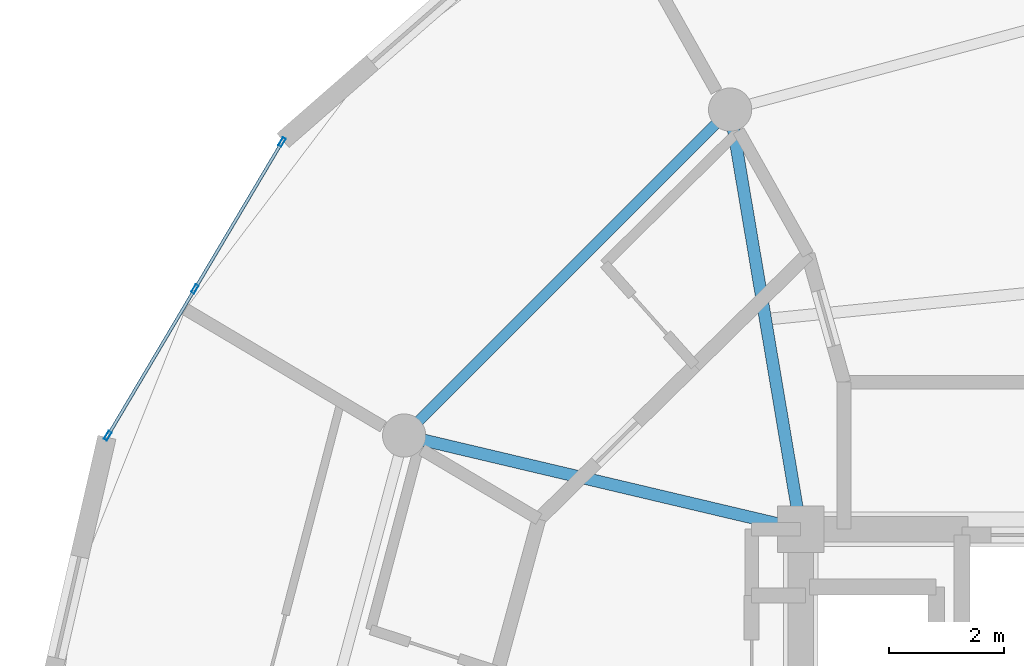
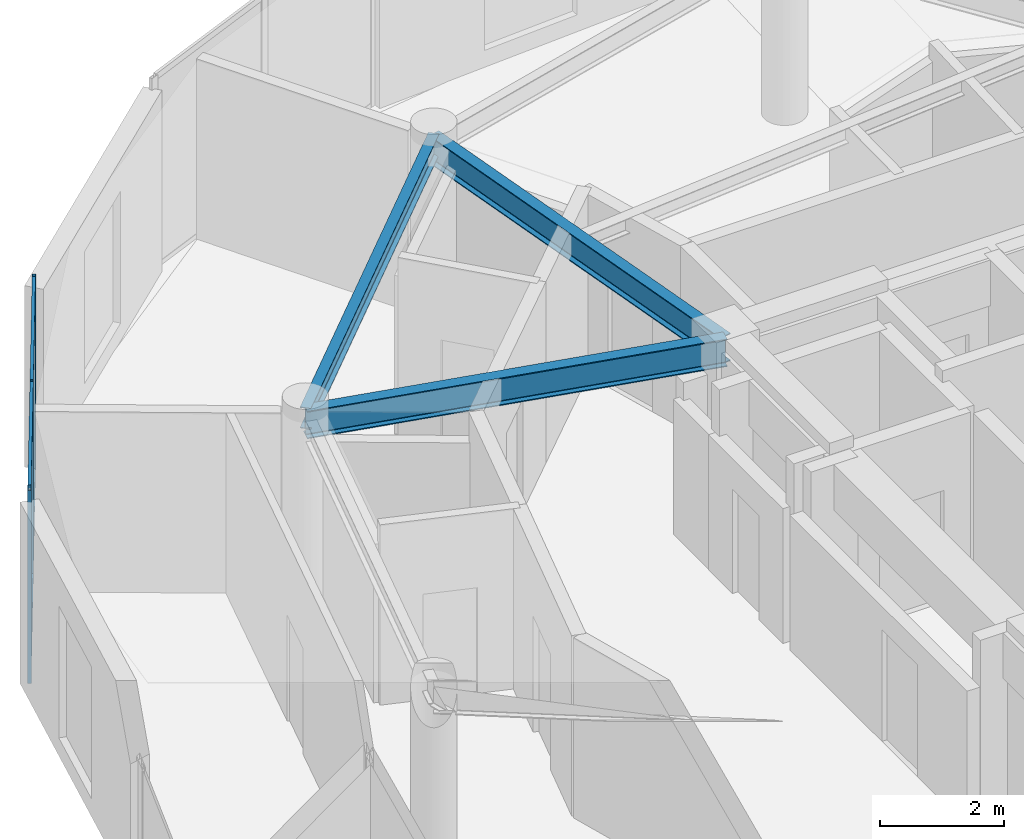
# One storey, part 10 of 22: 7 members, 3 beams, 1 element without a shape of its own.
"""IFC4 building model written with IfcOpenShell, lengths in metres."""

from ifc_helpers import new_model, si_unit, direction, frame, origin, origin_2d, place, context, subcontext, project, spatial, hollow_rectangle, i_section, extrude, source, transform, mapped, material, layer, layer_set, material_profile, profile_set, type_object, element, aggregate, save


model = new_model("IFC4")

# Units and contexts
model_context = context("Model", 3, precision=1e-05, world=origin(), true_north=direction((0.0, 1.0)))
body_context = subcontext(model_context, "Body", "Model", "MODEL_VIEW")
ifc_project = project(units=[si_unit("LENGTHUNIT", "METRE"), si_unit("AREAUNIT", "SQUARE_METRE"), si_unit("VOLUMEUNIT", "CUBIC_METRE"), si_unit("PLANEANGLEUNIT", "RADIAN"), si_unit("MASSUNIT", "GRAM", prefix="KILO")], contexts=[model_context])

# Site, building, storey
site_placement = place(None, origin())
site = spatial("IfcSite", under=ifc_project, at=site_placement, CompositionType="ELEMENT")
building_placement = place(site_placement, origin())
building = spatial("IfcBuilding", under=site, at=building_placement, Name="Solvirekh Grand Hotel", CompositionType="ELEMENT")
storey_placement = place(building_placement, frame((0.0, 0.0, 239.199951171875)))
storey = spatial("IfcBuildingStorey", under=building, at=storey_placement, Name="L62", CompositionType="ELEMENT", Elevation=239.199951171875)

# Beams
ifc_material_1 = material(Name="Steel S355", Category="steel")
ifc_material_profile_1 = material_profile(ifc_material_1, i_section(OverallWidth=0.2119140625, OverallDepth=0.5439453125, WebThickness=0.011962890625, FlangeThickness=0.01904296875, FilletRadius=0.013916015625, at=origin_2d()), Name="W530X123")
ifc_profile_set_1 = profile_set([ifc_material_profile_1], Name="Steel S355")
beam_type_1 = type_object("IfcBeamType", Name="Beam_Radial_W530H", PredefinedType="BEAM", material=ifc_profile_set_1)
beam_1_placement = place(storey_placement, frame((-6.5, 6.10009765625, 3.298095703125), z_axis=(-0.165954049106, 0.986133486697, 0.0), x_axis=(-0.986133486697, -0.165954049106, 0.0)))
element("IfcBeam", 1, at=beam_1_placement, inside=storey, type_object=beam_type_1, Name="L62 radial floor beam R05", PredefinedType="BEAM", context=body_context, shape_type="SweptSolid", body=[
    extrude(i_section(OverallWidth=0.2119140625, OverallDepth=0.5439453125, WebThickness=0.011962890625, FlangeThickness=0.01904296875, FilletRadius=0.013916015625, at=origin_2d()), origin(), (0.0, 0.0, 1.0), 7.382080078125),
])
beam_2_placement = place(storey_placement, frame((-6.5, 6.10009765625, 3.298095703125), z_axis=(-0.973221147544, 0.229870828888, 0.0), x_axis=(-0.229870828888, -0.973221147544, 0.0)))
element("IfcBeam", 2, at=beam_2_placement, inside=storey, type_object=beam_type_1, Name="L62 radial floor beam R06", PredefinedType="BEAM", context=body_context, shape_type="SweptSolid", body=[
    extrude(i_section(OverallWidth=0.2119140625, OverallDepth=0.5439453125, WebThickness=0.011962890625, FlangeThickness=0.01904296875, FilletRadius=0.013916015625, at=origin_2d()), origin(), (0.0, 0.0, 1.0), 7.069091796875),
])
ifc_material_profile_2 = material_profile(ifc_material_1, i_section(OverallWidth=0.180908203125, OverallDepth=0.4169921875, WebThickness=0.010009765625, FlangeThickness=0.01611328125, FilletRadius=0.011962890625, at=origin_2d()), Name="W410X85")
ifc_profile_set_2 = profile_set([ifc_material_profile_2], Name="Steel S355")
beam_type_2 = type_object("IfcBeamType", Name="Spandrel_Ring_W410", PredefinedType="SPANDREL", material=ifc_profile_set_2)
beam_3_placement = place(storey_placement, frame((-7.72509765625, 13.3798828125, 3.362060546875), z_axis=(-0.707106781187, -0.707106781187, 0.0), x_axis=(0.707106781187, -0.707106781187, 0.0)))
element("IfcBeam", 3, at=beam_3_placement, inside=storey, type_object=beam_type_2, Name="L62 perimeter spandrel beam 5", PredefinedType="SPANDREL", context=body_context, shape_type="SweptSolid", body=[
    extrude(i_section(OverallWidth=0.180908203125, OverallDepth=0.4169921875, WebThickness=0.010009765625, FlangeThickness=0.01611328125, FilletRadius=0.011962890625, at=origin_2d()), origin(), (0.0, 0.0, 1.0), 7.9970703125),
])

# Curtain wall, members
ifc_material_2 = material(Name="Anodized Bronze Aluminium 6063-T6", Category="aluminium")
ifc_layer = layer(ifc_material_2, 0.159912109375)
ifc_layer_set = layer_set([ifc_layer], Name="Anodized Bronze Aluminium 6063-T6")
curtain_wall_type = type_object("IfcCurtainWallType", Name="CW_Sys4_HighZoneFlushBronzeCW", PredefinedType="NOTDEFINED", material=ifc_layer_set)
curtain_wall_placement = place(storey_placement, origin())
curtain_wall = element("IfcCurtainWall", 4, at=curtain_wall_placement, inside=storey, type_object=curtain_wall_type, Name="L62 unitised bronze-glass curtain wall CW-L62-C13", PredefinedType="NOTDEFINED")
ifc_material_profile_3 = material_profile(ifc_material_2, hollow_rectangle(XDim=0.06005859375, YDim=0.159912109375, WallThickness=0.0048828125, at=origin_2d()), Name="ALU RHS 160X60X5")
ifc_profile_set_3 = profile_set([ifc_material_profile_3], Name="Anodized Bronze Aluminium 6063-T6")
member_type_1 = type_object("IfcMemberType", Name="CWMullion_Sys4", PredefinedType="MULLION", material=ifc_profile_set_3)
shared_shape_1 = source(origin(), body_context, "Body", "SweptSolid", [
    extrude(hollow_rectangle(XDim=0.06005859375, YDim=0.159912109375, WallThickness=0.0048828125, at=origin_2d()), origin(), (0.0, 0.0, 1.0), 3.800048828125),
])
member_1_placement = place(storey_placement, frame((-15.497314453125, 12.816162109375, 0.0), z_axis=(0.0, 0.0, 1.0), x_axis=(0.860003699356, -0.5102877983, 0.0)))
member_1 = element("IfcMember", 5, at=member_1_placement, type_object=member_type_1, Name="U04 mullion 1", PredefinedType="MULLION", context=body_context, shape_type="MappedRepresentation", body=[
    mapped(shared_shape_1, transform((0.0, 0.0, 0.0), x_axis=(1.0, 0.0, 0.0), y_axis=(0.0, 1.0, 0.0), z_axis=(0.0, 0.0, 1.0), scale=1.0)),
])
member_2_placement = place(storey_placement, frame((-17.009033203125, 10.2685546875, 0.0), z_axis=(0.0, 0.0, 1.0), x_axis=(0.860003699356, -0.5102877983, 0.0)))
member_2 = element("IfcMember", 6, at=member_2_placement, type_object=member_type_1, Name="U04 mullion 2", PredefinedType="MULLION", context=body_context, shape_type="MappedRepresentation", body=[
    mapped(shared_shape_1, transform((0.0, 0.0, 0.0), x_axis=(1.0, 0.0, 0.0), y_axis=(0.0, 1.0, 0.0), z_axis=(0.0, 0.0, 1.0), scale=1.0)),
])
member_3_placement = place(storey_placement, frame((-18.520751953125, 7.720703125, 0.0), z_axis=(0.0, 0.0, 1.0), x_axis=(0.860003699356, -0.5102877983, 0.0)))
member_3 = element("IfcMember", 7, at=member_3_placement, type_object=member_type_1, Name="U04 mullion 3", PredefinedType="MULLION", context=body_context, shape_type="MappedRepresentation", body=[
    mapped(shared_shape_1, transform((0.0, 0.0, 0.0), x_axis=(1.0, 0.0, 0.0), y_axis=(0.0, 1.0, 0.0), z_axis=(0.0, 0.0, 1.0), scale=1.0)),
])
ifc_material_profile_4 = material_profile(ifc_material_2, hollow_rectangle(XDim=0.054931640625, YDim=0.1201171875, WallThickness=0.00390625, at=origin_2d()), Name="ALU RHS 120X55X4")
ifc_profile_set_4 = profile_set([ifc_material_profile_4], Name="Anodized Bronze Aluminium 6063-T6")
member_type_2 = type_object("IfcMemberType", Name="CWTransom_Sys4", PredefinedType="USERDEFINED", material=ifc_profile_set_4)
shared_shape_2 = source(origin(), body_context, "Body", "SweptSolid", [
    extrude(hollow_rectangle(XDim=0.054931640625, YDim=0.1201171875, WallThickness=0.00390625, at=origin_2d()), origin(), (0.0, 0.0, 1.0), 2.90234375),
])
member_4_placement = place(storey_placement, frame((-15.5126953125, 12.790283203125, 0.027587890625), z_axis=(-0.510258860658, -0.860020869003, 0.0), x_axis=(0.860020869003, -0.510258860658, 0.0)))
member_4 = element("IfcMember", 8, at=member_4_placement, type_object=member_type_2, Name="U04 transom 1.1", ObjectType="TRANSOM", PredefinedType="USERDEFINED", context=body_context, shape_type="MappedRepresentation", body=[
    mapped(shared_shape_2, transform((0.0, 0.0, 0.0), x_axis=(1.0, 0.0, 0.0), y_axis=(0.0, 1.0, 0.0), z_axis=(0.0, 0.0, 1.0), scale=1.0)),
])
member_5_placement = place(storey_placement, frame((-15.5126953125, 12.790283203125, 3.7724609375), z_axis=(-0.510258860658, -0.860020869003, 0.0), x_axis=(0.860020869003, -0.510258860658, 0.0)))
member_5 = element("IfcMember", 9, at=member_5_placement, type_object=member_type_2, Name="U04 transom 1.2", ObjectType="TRANSOM", PredefinedType="USERDEFINED", context=body_context, shape_type="MappedRepresentation", body=[
    mapped(shared_shape_2, transform((0.0, 0.0, 0.0), x_axis=(1.0, 0.0, 0.0), y_axis=(0.0, 1.0, 0.0), z_axis=(0.0, 0.0, 1.0), scale=1.0)),
])
member_6_placement = place(storey_placement, frame((-17.0244140625, 10.24267578125, 0.027587890625), z_axis=(-0.510258860658, -0.860020869003, 0.0), x_axis=(0.860020869003, -0.510258860658, 0.0)))
member_6 = element("IfcMember", 10, at=member_6_placement, type_object=member_type_2, Name="U04 transom 2.1", ObjectType="TRANSOM", PredefinedType="USERDEFINED", context=body_context, shape_type="MappedRepresentation", body=[
    mapped(shared_shape_2, transform((0.0, 0.0, 0.0), x_axis=(1.0, 0.0, 0.0), y_axis=(0.0, 1.0, 0.0), z_axis=(0.0, 0.0, 1.0), scale=1.0)),
])
member_7_placement = place(storey_placement, frame((-17.0244140625, 10.24267578125, 3.7724609375), z_axis=(-0.510258860658, -0.860020869003, 0.0), x_axis=(0.860020869003, -0.510258860658, 0.0)))
member_7 = element("IfcMember", 11, at=member_7_placement, type_object=member_type_2, Name="U04 transom 2.2", ObjectType="TRANSOM", PredefinedType="USERDEFINED", context=body_context, shape_type="MappedRepresentation", body=[
    mapped(shared_shape_2, transform((0.0, 0.0, 0.0), x_axis=(1.0, 0.0, 0.0), y_axis=(0.0, 1.0, 0.0), z_axis=(0.0, 0.0, 1.0), scale=1.0)),
])
aggregate(curtain_wall, [member_1, member_2, member_3, member_4, member_5, member_6, member_7])

save(model, "model.ifc")
